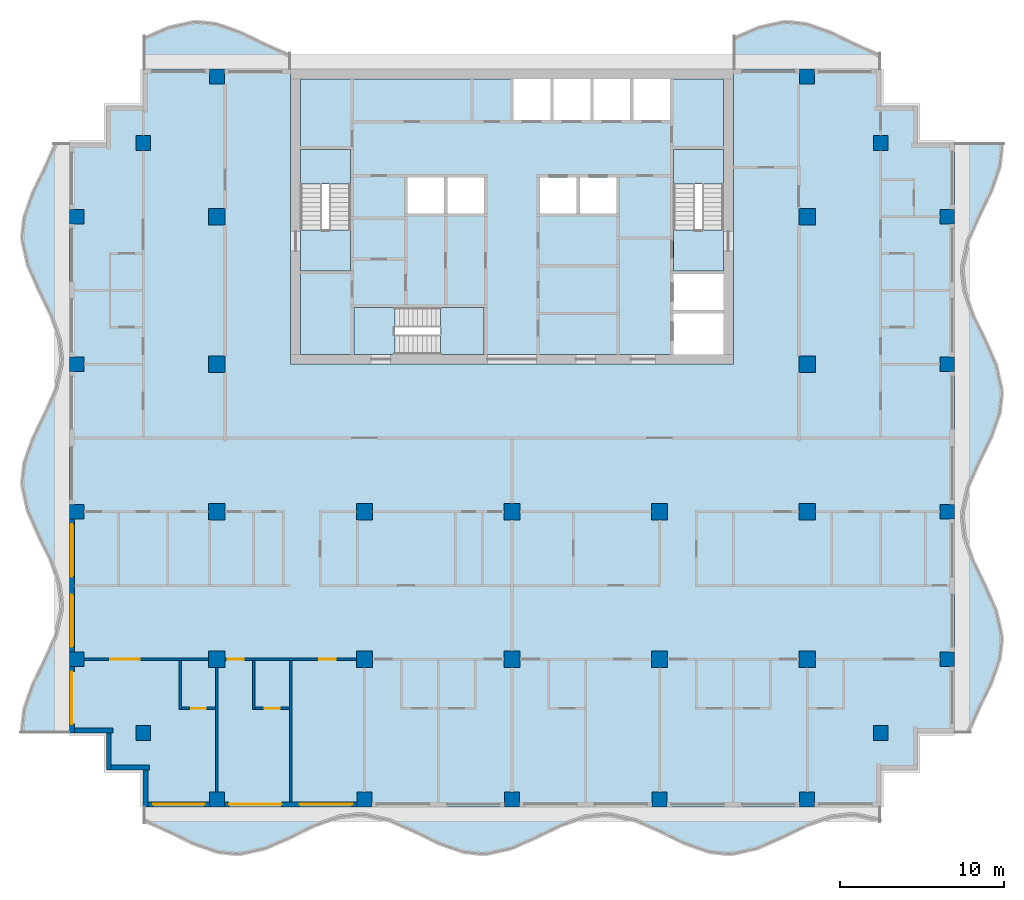
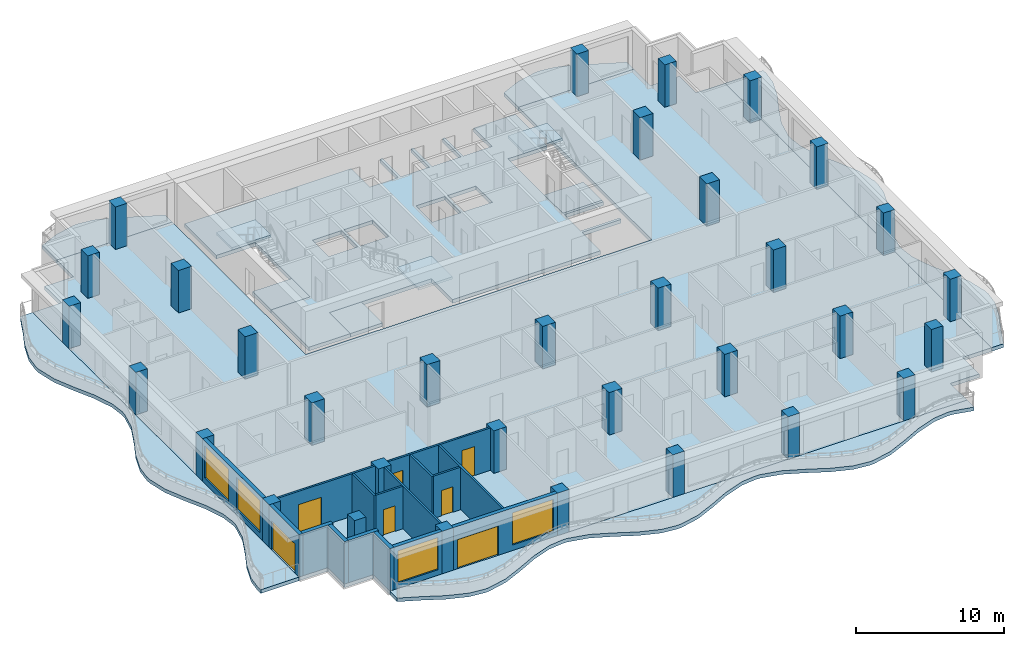
# One storey, part 1 of 11: 33 columns, 16 walls, 13 slabs, 7 doors, 4 windows, 11 openings, 3 elements without a shape of their own.
"""IFC4 building model written with IfcOpenShell, lengths in metres."""

from ifc_helpers import new_model, si_unit, direction, frame, frame_2d, origin, origin_2d, place, context, subcontext, project, spatial, polyline, rectangle, outline, extrude, material, layer, layer_set, material_profile, profile_set, type_object, element, fill, aggregate, save


model = new_model("IFC4")

# Units and contexts
model_context = context("Model", 3, precision=1e-05, world=origin(), true_north=direction((0.0, 1.0)))
body_context = subcontext(model_context, "Body", "Model", "MODEL_VIEW")
ifc_project = project(units=[si_unit("LENGTHUNIT", "METRE"), si_unit("AREAUNIT", "SQUARE_METRE"), si_unit("VOLUMEUNIT", "CUBIC_METRE"), si_unit("PLANEANGLEUNIT", "RADIAN"), si_unit("MASSUNIT", "GRAM", prefix="KILO")], contexts=[model_context])

# Site, building, storey
site_placement = place(None, origin())
site = spatial("IfcSite", under=ifc_project, at=site_placement, CompositionType="ELEMENT")
building_placement = place(site_placement, origin())
building = spatial("IfcBuilding", under=site, at=building_placement, Name="Orbiselva Terraces", CompositionType="ELEMENT")
storey_placement = place(building_placement, frame((0.0, 0.0, 238.8)))
storey = spatial("IfcBuildingStorey", under=building, at=storey_placement, Name="L60", CompositionType="ELEMENT", Elevation=238.8)

# Columns
ifc_material_1 = material(Name="Concrete C50/60", Category="concrete")
ifc_material_profile_1 = material_profile(ifc_material_1, rectangle(XDim=1.0, YDim=1.0, at=origin_2d()), Name="RC 1000x1000")
ifc_profile_set_1 = profile_set([ifc_material_profile_1], Name="Concrete C50/60")
column_type_1 = type_object("IfcColumnType", Name="COLUMN RC 1000x1000", PredefinedType="COLUMN", material=ifc_profile_set_1)
for number, where, z_axis, x_axis, name in (
    (1, (-18.0, -13.5, 0.0), (0.0, 0.0, 1.0), (1.0, 0.0, 0.0), "Column L60-01"),
    (2, (-18.0, -4.5, 0.0), (0.0, 0.0, 1.0), (1.0, 0.0, 0.0), "Column L60-03"),
    (3, (-18.0, 13.5, 0.0), (0.0, 0.0, 1.0), (1.0, 0.0, 0.0), "Column L60-04"),
    (4, (-18.0, 4.5, 0.0), (0.0, 0.0, 1.0), (1.0, 0.0, 0.0), "Column L60-06"),
    (5, (-9.0, -13.5, 0.0), (0.0, 0.0, 1.0), (1.0, 0.0, 0.0), "Column L60-13"),
    (6, (-9.0, -4.5, 0.0), (0.0, 0.0, 1.0), (1.0, 0.0, 0.0), "Column L60-15"),
    (7, (0.0, -13.5, 0.0), (0.0, 0.0, 1.0), (1.0, 0.0, 0.0), "Column L60-16"),
    (8, (0.0, -4.5, 0.0), (0.0, 0.0, 1.0), (1.0, 0.0, 0.0), "Column L60-18"),
    (9, (18.0, -13.5, 0.0), (0.0, 0.0, 1.0), (1.0, 0.0, 0.0), "Column L60-19"),
    (10, (18.0, -4.5, 0.0), (0.0, 0.0, 1.0), (1.0, 0.0, 0.0), "Column L60-21"),
    (11, (18.0, 13.5, 0.0), (0.0, 0.0, 1.0), (1.0, 0.0, 0.0), "Column L60-22"),
    (12, (18.0, 4.5, 0.0), (0.0, 0.0, 1.0), (1.0, 0.0, 0.0), "Column L60-24"),
    (13, (9.0, -13.5, 0.0), (0.0, 0.0, 1.0), (1.0, 0.0, 0.0), "Column L60-31"),
    (14, (9.0, -4.5, 0.0), (0.0, 0.0, 1.0), (1.0, 0.0, 0.0), "Column L60-33"),
):
    element("IfcColumn", number, at=place(storey_placement, frame(where, z_axis=z_axis, x_axis=x_axis)), inside=storey, type_object=column_type_1, Name=name, PredefinedType="COLUMN", context=body_context, shape_type="SweptSolid", body=[
        extrude(rectangle(XDim=1.0, YDim=1.0, at=origin_2d()), origin(), (0.0, 0.0, 1.0), 3.5),
    ])
ifc_material_profile_2 = material_profile(ifc_material_1, rectangle(XDim=0.9, YDim=0.9, at=origin_2d()), Name="RC 900x900")
ifc_profile_set_2 = profile_set([ifc_material_profile_2], Name="Concrete C50/60")
column_type_2 = type_object("IfcColumnType", Name="PERIMETER COLUMN RC 900x900", PredefinedType="COLUMN", material=ifc_profile_set_2)
for number, where, z_axis, x_axis, name in (
    (15, (-18.0, -22.05, 0.0), (0.0, 0.0, 1.0), (1.0, 0.0, 0.0), "Column L60-02"),
    (16, (-18.0, 22.05, 0.0), (0.0, 0.0, 1.0), (1.0, 0.0, 0.0), "Column L60-05"),
    (17, (-26.55, -13.5, 0.0), (0.0, 0.0, 1.0), (1.0, 0.0, 0.0), "Column L60-07"),
    (18, (-22.5, -18.0, 0.0), (0.0, 0.0, 1.0), (1.0, 0.0, 0.0), "Column L60-08"),
    (19, (-26.55, -4.5, 0.0), (0.0, 0.0, 1.0), (1.0, 0.0, 0.0), "Column L60-09"),
    (20, (-26.55, 13.5, 0.0), (0.0, 0.0, 1.0), (1.0, 0.0, 0.0), "Column L60-10"),
    (21, (-22.5, 18.0, 0.0), (0.0, 0.0, 1.0), (1.0, 0.0, 0.0), "Column L60-11"),
    (22, (-26.55, 4.5, 0.0), (0.0, 0.0, 1.0), (1.0, 0.0, 0.0), "Column L60-12"),
    (23, (-9.0, -22.05, 0.0), (0.0, 0.0, 1.0), (1.0, 0.0, 0.0), "Column L60-14"),
    (24, (0.0, -22.05, 0.0), (0.0, 0.0, 1.0), (1.0, 0.0, 0.0), "Column L60-17"),
    (25, (18.0, -22.05, 0.0), (0.0, 0.0, 1.0), (1.0, 0.0, 0.0), "Column L60-20"),
    (26, (18.0, 22.05, 0.0), (0.0, 0.0, 1.0), (1.0, 0.0, 0.0), "Column L60-23"),
    (27, (26.55, -13.5, 0.0), (0.0, 0.0, 1.0), (1.0, 0.0, 0.0), "Column L60-25"),
    (28, (22.5, -18.0, 0.0), (0.0, 0.0, 1.0), (1.0, 0.0, 0.0), "Column L60-26"),
    (29, (26.55, -4.5, 0.0), (0.0, 0.0, 1.0), (1.0, 0.0, 0.0), "Column L60-27"),
    (30, (26.55, 13.5, 0.0), (0.0, 0.0, 1.0), (1.0, 0.0, 0.0), "Column L60-28"),
    (31, (22.5, 18.0, 0.0), (0.0, 0.0, 1.0), (1.0, 0.0, 0.0), "Column L60-29"),
    (32, (26.55, 4.5, 0.0), (0.0, 0.0, 1.0), (1.0, 0.0, 0.0), "Column L60-30"),
    (33, (9.0, -22.05, 0.0), (0.0, 0.0, 1.0), (1.0, 0.0, 0.0), "Column L60-32"),
):
    element("IfcColumn", number, at=place(storey_placement, frame(where, z_axis=z_axis, x_axis=x_axis)), inside=storey, type_object=column_type_2, Name=name, PredefinedType="COLUMN", context=body_context, shape_type="SweptSolid", body=[
        extrude(rectangle(XDim=0.9, YDim=0.9, at=origin_2d()), origin(), (0.0, 0.0, 1.0), 3.5),
    ])

# Slabs
ifc_material_2 = material(Name="Concrete C40/50", Category="concrete")
ifc_layer_1 = layer(ifc_material_2, 0.3)
ifc_layer_set_1 = layer_set([ifc_layer_1], Name="Concrete C40/50")
slab_type_1 = type_object("IfcSlabType", Name="CORE-SLAB-FLOOR-300", PredefinedType="FLOOR", material=ifc_layer_set_1)
slab_1_placement = place(storey_placement, frame((0.0, 0.0, -0.3)))
element("IfcSlab", 34, at=slab_1_placement, inside=storey, type_object=slab_type_1, Name="L60 S1 floor landing", PredefinedType="FLOOR", context=body_context, shape_type="SweptSolid", body=[
    extrude(outline(polyline([(-12.9, 12.7), (-9.85, 12.7), (-9.85, 10.2), (-12.9, 10.2), (-12.9, 12.7)])), origin(), (0.0, 0.0, 1.0), 0.3),
])
slab_2_placement = place(storey_placement, frame((0.0, 0.0, -0.3)))
element("IfcSlab", 35, at=slab_2_placement, inside=storey, type_object=slab_type_1, Name="L60 S2 floor landing", PredefinedType="FLOOR", context=body_context, shape_type="SweptSolid", body=[
    extrude(outline(polyline([(12.9, 12.7), (12.9, 10.2), (9.85, 10.2), (9.85, 12.7), (12.9, 12.7)])), origin(), (0.0, 0.0, 1.0), 0.3),
])
slab_3_placement = place(storey_placement, frame((0.0, 0.0, -0.3)))
element("IfcSlab", 36, at=slab_3_placement, inside=storey, type_object=slab_type_1, Name="L60 S3 floor landing", PredefinedType="FLOOR", context=body_context, shape_type="SweptSolid", body=[
    extrude(outline(polyline([(-7.15, 5.1), (-9.65, 5.1), (-9.65, 7.95), (-7.15, 7.95), (-7.15, 5.1)])), origin(), (0.0, 0.0, 1.0), 0.3),
])
slab_4_placement = place(storey_placement, frame((0.0, 0.0, -0.3)))
element("IfcSlab", 37, at=slab_4_placement, inside=storey, type_object=slab_type_1, Name="L60 core floor slab 1", PredefinedType="FLOOR", context=body_context, shape_type="SweptSolid", body=[
    extrude(outline(polyline([(-1.7, 5.1), (-1.7, 7.95), (-9.65, 7.95), (-9.65, 5.1), (-12.9, 5.1), (-12.9, 10.2), (-9.85, 10.2), (-9.85, 17.6), (-12.9, 17.6), (-12.9, 21.9), (0.1, 21.9), (0.1, 19.4), (2.3375, 19.4), (2.3375, 21.9), (2.5375, 21.9), (2.5375, 19.4), (4.775, 19.4), (4.775, 21.9), (4.975, 21.9), (4.975, 19.4), (7.2125, 19.4), (7.2125, 21.9), (7.4125, 21.9), (7.4125, 19.4), (9.65, 19.4), (9.65, 21.9), (12.9, 21.9), (12.9, 17.6), (9.85, 17.6), (9.85, 10.2), (12.9, 10.2), (12.9, 10.0), (9.85, 10.0), (9.85, 7.8), (12.9, 7.8), (12.9, 7.6), (9.85, 7.6), (9.85, 5.1), (-1.7, 5.1)]), holes=[polyline([(-4.1375, 13.7), (-4.1375, 15.9), (-6.375, 15.9), (-6.375, 13.7), (-4.1375, 13.7)]), polyline([(-1.7, 13.7), (-1.7, 15.9), (-3.9375, 15.9), (-3.9375, 13.7), (-1.7, 13.7)]), polyline([(3.9375, 15.9), (1.7, 15.9), (1.7, 13.7), (3.9375, 13.7), (3.9375, 15.9)]), polyline([(6.375, 13.7), (6.375, 15.9), (4.1375, 15.9), (4.1375, 13.7), (6.375, 13.7)])]), origin(), (0.0, 0.0, 1.0), 0.3),
])

# Stair, slab
stair_type_1 = type_object("IfcStairType", Name="CORE-STAIR-1300", PredefinedType="HALF_TURN_STAIR", material=ifc_material_2)
stair_1_placement = place(storey_placement, origin())
stair_1 = element("IfcStair", 38, at=stair_1_placement, inside=storey, type_object=stair_type_1, Name="L60 Exit Stair S1", PredefinedType="HALF_TURN_STAIR")
ifc_layer_2 = layer(ifc_material_2, 0.2)
ifc_layer_set_2 = layer_set([ifc_layer_2], Name="Concrete C40/50")
slab_type_2 = type_object("IfcSlabType", Name="CORE-STAIR-LANDING-200", PredefinedType="LANDING", material=ifc_layer_set_2)
slab_5_placement = place(storey_placement, frame((0.0, 0.0, 1.7)))
slab_5 = element("IfcSlab", 39, at=slab_5_placement, type_object=slab_type_2, Name="S1 landing 1", PredefinedType="LANDING", context=body_context, shape_type="SweptSolid", body=[
    extrude(outline(polyline([(-9.85, 15.5), (-9.85, 17.6), (-12.9, 17.6), (-12.9, 15.5), (-9.85, 15.5)])), origin(), (0.0, 0.0, 1.0), 0.2),
])
aggregate(stair_1, [slab_5])

stair_2_placement = place(storey_placement, origin())
stair_2 = element("IfcStair", 40, at=stair_2_placement, inside=storey, type_object=stair_type_1, Name="L60 Exit Stair S2", PredefinedType="HALF_TURN_STAIR")
slab_6_placement = place(storey_placement, frame((0.0, 0.0, 1.7)))
slab_6 = element("IfcSlab", 41, at=slab_6_placement, type_object=slab_type_2, Name="S2 landing 1", PredefinedType="LANDING", context=body_context, shape_type="SweptSolid", body=[
    extrude(outline(polyline([(12.9, 15.5), (12.9, 17.6), (9.85, 17.6), (9.85, 15.5), (12.9, 15.5)])), origin(), (0.0, 0.0, 1.0), 0.2),
])
aggregate(stair_2, [slab_6])

stair_type_2 = type_object("IfcStairType", Name="CORE-STAIR-1200", PredefinedType="HALF_TURN_STAIR", material=ifc_material_2)
stair_3_placement = place(storey_placement, origin())
stair_3 = element("IfcStair", 42, at=stair_3_placement, inside=storey, type_object=stair_type_2, Name="L60 Exit Stair S3", PredefinedType="HALF_TURN_STAIR")
slab_7_placement = place(storey_placement, frame((0.0, 0.0, 1.7)))
slab_7 = element("IfcSlab", 43, at=slab_7_placement, type_object=slab_type_2, Name="S3 landing 1", PredefinedType="LANDING", context=body_context, shape_type="SweptSolid", body=[
    extrude(outline(polyline([(-4.35, 5.1), (-1.7, 5.1), (-1.7, 7.95), (-4.35, 7.95), (-4.35, 5.1)])), origin(), (0.0, 0.0, 1.0), 0.2),
])
aggregate(stair_3, [slab_7])

# Slabs
ifc_layer_3 = layer(ifc_material_1, 0.3)
ifc_layer_set_3 = layer_set([ifc_layer_3], Name="Concrete C50/60")
slab_type_3 = type_object("IfcSlabType", Name="ENV-BALCONY-SLAB-300", PredefinedType="FLOOR", material=ifc_layer_set_3)
slab_8_placement = place(storey_placement, frame((0.0, 0.0, -0.3)))
element("IfcSlab", 44, at=slab_8_placement, inside=storey, type_object=slab_type_3, Name="Balcony slab L60 S", PredefinedType="FLOOR", context=body_context, shape_type="SweptSolid", body=[
    extrude(outline(polyline([(-22.5, -23.451472), (-21.0, -24.112279), (-19.5, -24.844789), (-18.0, -25.369208), (-16.875, -25.5), (-16.5, -25.485226), (-15.0, -25.148528), (-13.5, -24.487721), (-12.0, -23.755211), (-10.5, -23.230792), (-9.375, -23.1), (-9.0, -23.114774), (-7.5, -23.451472), (-6.0, -24.112279), (-4.5, -24.844789), (-3.0, -25.369208), (-1.875, -25.5), (-1.5, -25.485226), (0.0, -25.148528), (1.5, -24.487721), (3.0, -23.755211), (4.5, -23.230792), (5.625, -23.1), (6.0, -23.114774), (7.5, -23.451472), (9.0, -24.112279), (10.5, -24.844789), (12.0, -25.369208), (13.125, -25.5), (13.5, -25.485226), (15.0, -25.148528), (16.5, -24.487721), (18.0, -23.755211), (19.5, -23.230792), (20.625, -23.1), (21.0, -23.114774), (22.5, -23.451472), (22.5, -22.5), (-22.5, -22.5), (-22.5, -23.451472)])), origin(), (0.0, 0.0, 1.0), 0.3),
])
slab_9_placement = place(storey_placement, frame((0.0, 0.0, -0.3)))
element("IfcSlab", 45, at=slab_9_placement, inside=storey, type_object=slab_type_3, Name="Balcony slab L60 E", PredefinedType="FLOOR", context=body_context, shape_type="SweptSolid", body=[
    extrude(outline(polyline([(27.951472, -18.0), (28.612279, -16.5), (29.344789, -15.0), (29.869208, -13.5), (30.0, -12.375), (29.985226, -12.0), (29.648528, -10.5), (28.987721, -9.0), (28.255211, -7.5), (27.730792, -6.0), (27.6, -4.875), (27.614774, -4.5), (27.951472, -3.0), (28.612279, -1.5), (29.344789, 0.0), (29.869208, 1.5), (30.0, 2.625), (29.985226, 3.0), (29.648528, 4.5), (28.987721, 6.0), (28.255211, 7.5), (27.730792, 9.0), (27.6, 10.125), (27.614774, 10.5), (27.951472, 12.0), (28.612279, 13.5), (29.344789, 15.0), (29.869208, 16.5), (30.0, 17.625), (29.985226, 18.0), (27.0, 18.0), (27.0, -18.0), (27.951472, -18.0)])), origin(), (0.0, 0.0, 1.0), 0.3),
])
slab_10_placement = place(storey_placement, frame((0.0, 0.0, -0.3)))
element("IfcSlab", 46, at=slab_10_placement, inside=storey, type_object=slab_type_3, Name="Balcony slab L60 NE", PredefinedType="FLOOR", context=body_context, shape_type="SweptSolid", body=[
    extrude(outline(polyline([(22.5, 23.451472), (21.0, 24.112279), (19.5, 24.844789), (18.0, 25.369208), (16.875, 25.5), (16.5, 25.485226), (15.0, 25.148528), (13.5, 24.487721), (13.5, 22.5), (22.5, 22.5), (22.5, 23.451472)])), origin(), (0.0, 0.0, 1.0), 0.3),
])
slab_11_placement = place(storey_placement, frame((0.0, 0.0, -0.3)))
element("IfcSlab", 47, at=slab_11_placement, inside=storey, type_object=slab_type_3, Name="Balcony slab L60 NW", PredefinedType="FLOOR", context=body_context, shape_type="SweptSolid", body=[
    extrude(outline(polyline([(-13.5, 23.451472), (-15.0, 24.112279), (-16.5, 24.844789), (-18.0, 25.369208), (-19.125, 25.5), (-19.5, 25.485226), (-21.0, 25.148528), (-22.5, 24.487721), (-22.5, 22.5), (-13.5, 22.5), (-13.5, 23.451472)])), origin(), (0.0, 0.0, 1.0), 0.3),
])
slab_12_placement = place(storey_placement, frame((0.0, 0.0, -0.3)))
element("IfcSlab", 48, at=slab_12_placement, inside=storey, type_object=slab_type_3, Name="Balcony slab L60 W", PredefinedType="FLOOR", context=body_context, shape_type="SweptSolid", body=[
    extrude(outline(polyline([(-27.951472, 18.0), (-28.612279, 16.5), (-29.344789, 15.0), (-29.869208, 13.5), (-30.0, 12.375), (-29.985226, 12.0), (-29.648528, 10.5), (-28.987721, 9.0), (-28.255211, 7.5), (-27.730792, 6.0), (-27.6, 4.875), (-27.614774, 4.5), (-27.951472, 3.0), (-28.612279, 1.5), (-29.344789, 0.0), (-29.869208, -1.5), (-30.0, -2.625), (-29.985226, -3.0), (-29.648528, -4.5), (-28.987721, -6.0), (-28.255211, -7.5), (-27.730792, -9.0), (-27.6, -10.125), (-27.614774, -10.5), (-27.951472, -12.0), (-28.612279, -13.5), (-29.344789, -15.0), (-29.869208, -16.5), (-30.0, -17.625), (-29.985226, -18.0), (-27.0, -18.0), (-27.0, 18.0), (-27.951472, 18.0)])), origin(), (0.0, 0.0, 1.0), 0.3),
])
ifc_layer_4 = layer(ifc_material_1, 0.3)
ifc_layer_set_4 = layer_set([ifc_layer_4], Name="Concrete C50/60")
slab_type_4 = type_object("IfcSlabType", Name="FLOOR SLAB 300", PredefinedType="FLOOR", material=ifc_layer_set_4)
slab_13_placement = place(storey_placement, frame((0.0, 0.0, -0.3)))
element("IfcSlab", 49, at=slab_13_placement, inside=storey, type_object=slab_type_4, Name="Floor slab L60", PredefinedType="FLOOR", context=body_context, shape_type="SweptSolid", body=[
    extrude(outline(polyline([(22.5, 22.5), (22.5, 20.25), (24.75, 20.25), (24.75, 18.0), (27.0, 18.0), (27.0, -18.0), (24.75, -18.0), (24.75, -20.25), (22.5, -20.25), (22.5, -22.5), (-22.5, -22.5), (-22.5, -20.25), (-24.75, -20.25), (-24.75, -18.0), (-27.0, -18.0), (-27.0, 18.0), (-24.75, 18.0), (-24.75, 20.25), (-22.5, 20.25), (-22.5, 22.5), (-13.5, 22.5), (-13.5, 4.5), (13.5, 4.5), (13.5, 22.5), (22.5, 22.5)])), origin(), (0.0, 0.0, 1.0), 0.3),
])

# Wall, opening, window
ifc_material_3 = material(Name="Terracotta cladding on masonry backing", Category="masonry")
ifc_layer_5 = layer(ifc_material_3, 0.3)
ifc_layer_set_5 = layer_set([ifc_layer_5], Name="Terracotta cladding on masonry backing")
wall_type_1 = type_object("IfcWallType", Name="ENV-WALL-TERRACOTTA-300", PredefinedType="SOLIDWALL", material=ifc_layer_set_5)
wall_1_placement = place(storey_placement, frame((-18.45, -22.35, 0.0), z_axis=(0.0, 0.0, 1.0), x_axis=(-1.0, 0.0, 0.0)))
wall_1 = element("IfcWall", 50, at=wall_1_placement, inside=storey, type_object=wall_type_1, Name="Facade wall L60 S", PredefinedType="SOLIDWALL", context=body_context, shape_type="SweptSolid", body=[
    extrude(rectangle(XDim=3.75, YDim=0.3, at=frame_2d((1.875, 0.0))), origin(), (0.0, 0.0, 1.0), 3.5),
])
opening_1_placement = place(wall_1_placement, frame((0.3, 0.0, 0.45)))
opening_1 = element("IfcOpeningElement", 51, at=opening_1_placement, cuts=wall_1, Name="Opening WN16", PredefinedType="OPENING", context=body_context, shape_type="SweptSolid", body=[
    extrude(rectangle(XDim=3.15, YDim=2.65, at=frame_2d((1.575, 1.325))), frame((0.0, 0.16, 0.0), z_axis=(0.0, -1.0, 0.0), x_axis=(1.0, 0.0, 0.0)), (0.0, 0.0, 1.0), 0.32),
])
ifc_material_4 = material(Name="Clear low-e glazing in aluminium frame", Category="aluminium")
window_type_1 = type_object("IfcWindowType", Name="WINDOW 3150 X 2650 S450", PartitioningType="TRIPLE_PANEL_VERTICAL", PredefinedType="WINDOW", material=ifc_material_4)
window_1_placement = place(opening_1_placement, origin())
window_1 = element("IfcWindow", 52, at=window_1_placement, inside=storey, type_object=window_type_1, Name="Window L60 S", OverallHeight=2.65, OverallWidth=3.15, PartitioningType="SINGLE_PANEL", PredefinedType="WINDOW", context=body_context, shape_type="SweptSolid", body=[
    extrude(rectangle(XDim=3.15, YDim=2.65, at=frame_2d((1.575, 1.325))), frame((0.0, 0.03, 0.0), z_axis=(0.0, -1.0, 0.0), x_axis=(1.0, 0.0, 0.0)), (0.0, 0.0, 1.0), 0.06),
])
fill(opening_1, window_1)

# Wall, openings, door, window
wall_2_placement = place(storey_placement, frame((-9.45, -22.35, 0.0), z_axis=(0.0, 0.0, 1.0), x_axis=(-1.0, 0.0, 0.0)))
wall_2 = element("IfcWall", 53, at=wall_2_placement, inside=storey, type_object=wall_type_1, Name="Facade wall L60 S", PredefinedType="SOLIDWALL", context=body_context, shape_type="SweptSolid", body=[
    extrude(rectangle(XDim=8.1, YDim=0.3, at=frame_2d((4.05, 0.0))), origin(), (0.0, 0.0, 1.0), 3.5),
])
opening_2_placement = place(wall_2_placement, frame((4.6, 0.0, 0.0)))
opening_2 = element("IfcOpeningElement", 54, at=opening_2_placement, cuts=wall_2, Name="Opening Z5-A-E01", PredefinedType="OPENING", context=body_context, shape_type="SweptSolid", body=[
    extrude(rectangle(XDim=3.2, YDim=2.4, at=frame_2d((1.6, 1.2))), frame((0.0, 0.16, 0.0), z_axis=(0.0, -1.0, 0.0), x_axis=(1.0, 0.0, 0.0)), (0.0, 0.0, 1.0), 0.32),
])
opening_3_placement = place(wall_2_placement, frame((0.3, 0.0, 0.45)))
opening_3 = element("IfcOpeningElement", 55, at=opening_3_placement, cuts=wall_2, Name="Opening WN17", PredefinedType="OPENING", context=body_context, shape_type="SweptSolid", body=[
    extrude(rectangle(XDim=3.2, YDim=2.65, at=frame_2d((1.6, 1.325))), frame((0.0, 0.16, 0.0), z_axis=(0.0, -1.0, 0.0), x_axis=(1.0, 0.0, 0.0)), (0.0, 0.0, 1.0), 0.32),
])
door_type_1 = type_object("IfcDoorType", Name="BALCONY DOOR 3200 X 2400", OperationType="DOUBLE_DOOR_SLIDING", PredefinedType="DOOR", material=ifc_material_4)
door_1_placement = place(opening_2_placement, origin())
door_1 = element("IfcDoor", 56, at=door_1_placement, inside=storey, type_object=door_type_1, Name="Z5-A-E01", OperationType="SINGLE_SWING_LEFT", OverallHeight=2.4, OverallWidth=3.2, PredefinedType="DOOR", context=body_context, shape_type="SweptSolid", body=[
    extrude(rectangle(XDim=3.2, YDim=2.4, at=frame_2d((1.6, 1.2))), frame((0.0, 0.025, 0.0), z_axis=(0.0, -1.0, 0.0), x_axis=(1.0, 0.0, 0.0)), (0.0, 0.0, 1.0), 0.05),
])
fill(opening_2, door_1)
window_type_2 = type_object("IfcWindowType", Name="WINDOW 3200 X 2650 S450", PartitioningType="TRIPLE_PANEL_VERTICAL", PredefinedType="WINDOW", material=ifc_material_4)
window_2_placement = place(opening_3_placement, origin())
window_2 = element("IfcWindow", 57, at=window_2_placement, inside=storey, type_object=window_type_2, Name="Window L60 S", OverallHeight=2.65, OverallWidth=3.2, PartitioningType="SINGLE_PANEL", PredefinedType="WINDOW", context=body_context, shape_type="SweptSolid", body=[
    extrude(rectangle(XDim=3.2, YDim=2.65, at=frame_2d((1.6, 1.325))), frame((0.0, 0.03, 0.0), z_axis=(0.0, -1.0, 0.0), x_axis=(1.0, 0.0, 0.0)), (0.0, 0.0, 1.0), 0.06),
])
fill(opening_3, window_2)

# Wall, openings, windows
wall_3_placement = place(storey_placement, frame((-26.85, -13.05, 0.0), z_axis=(0.0, 0.0, 1.0), x_axis=(0.0, 1.0, 0.0)))
wall_3 = element("IfcWall", 58, at=wall_3_placement, inside=storey, type_object=wall_type_1, Name="Facade wall L60 W", PredefinedType="SOLIDWALL", context=body_context, shape_type="SweptSolid", body=[
    extrude(rectangle(XDim=8.1, YDim=0.3, at=frame_2d((4.05, 0.0))), origin(), (0.0, 0.0, 1.0), 3.5),
])
opening_4_placement = place(wall_3_placement, frame((4.6, 0.0, 0.45)))
opening_4 = element("IfcOpeningElement", 59, at=opening_4_placement, cuts=wall_3, Name="Opening WN17", PredefinedType="OPENING", context=body_context, shape_type="SweptSolid", body=[
    extrude(rectangle(XDim=3.2, YDim=2.65, at=frame_2d((1.6, 1.325))), frame((0.0, 0.16, 0.0), z_axis=(0.0, -1.0, 0.0), x_axis=(1.0, 0.0, 0.0)), (0.0, 0.0, 1.0), 0.32),
])
opening_5_placement = place(wall_3_placement, frame((0.3, 0.0, 0.45)))
opening_5 = element("IfcOpeningElement", 60, at=opening_5_placement, cuts=wall_3, Name="Opening WN17", PredefinedType="OPENING", context=body_context, shape_type="SweptSolid", body=[
    extrude(rectangle(XDim=3.2, YDim=2.65, at=frame_2d((1.6, 1.325))), frame((0.0, 0.16, 0.0), z_axis=(0.0, -1.0, 0.0), x_axis=(1.0, 0.0, 0.0)), (0.0, 0.0, 1.0), 0.32),
])
window_3_placement = place(opening_4_placement, origin())
window_3 = element("IfcWindow", 61, at=window_3_placement, inside=storey, type_object=window_type_2, Name="Window L60 W", OverallHeight=2.65, OverallWidth=3.2, PartitioningType="SINGLE_PANEL", PredefinedType="WINDOW", context=body_context, shape_type="SweptSolid", body=[
    extrude(rectangle(XDim=3.2, YDim=2.65, at=frame_2d((1.6, 1.325))), frame((0.0, 0.03, 0.0), z_axis=(0.0, -1.0, 0.0), x_axis=(1.0, 0.0, 0.0)), (0.0, 0.0, 1.0), 0.06),
])
fill(opening_4, window_3)
window_4_placement = place(opening_5_placement, origin())
window_4 = element("IfcWindow", 62, at=window_4_placement, inside=storey, type_object=window_type_2, Name="Window L60 W", OverallHeight=2.65, OverallWidth=3.2, PartitioningType="SINGLE_PANEL", PredefinedType="WINDOW", context=body_context, shape_type="SweptSolid", body=[
    extrude(rectangle(XDim=3.2, YDim=2.65, at=frame_2d((1.6, 1.325))), frame((0.0, 0.03, 0.0), z_axis=(0.0, -1.0, 0.0), x_axis=(1.0, 0.0, 0.0)), (0.0, 0.0, 1.0), 0.06),
])
fill(opening_5, window_4)

# Wall, opening, door
wall_4_placement = place(storey_placement, frame((-26.85, -18.0, 0.0), z_axis=(0.0, 0.0, 1.0), x_axis=(0.0, 1.0, 0.0)))
wall_4 = element("IfcWall", 63, at=wall_4_placement, inside=storey, type_object=wall_type_1, Name="Facade wall L60 W", PredefinedType="SOLIDWALL", context=body_context, shape_type="SweptSolid", body=[
    extrude(rectangle(XDim=4.05, YDim=0.3, at=frame_2d((2.025, 0.0))), origin(), (0.0, 0.0, 1.0), 3.5),
])
opening_6_placement = place(wall_4_placement, frame((0.55, 0.0, 0.0)))
opening_6 = element("IfcOpeningElement", 64, at=opening_6_placement, cuts=wall_4, Name="Opening Z5-A-E12", PredefinedType="OPENING", context=body_context, shape_type="SweptSolid", body=[
    extrude(rectangle(XDim=3.2, YDim=2.4, at=frame_2d((1.6, 1.2))), frame((0.0, 0.16, 0.0), z_axis=(0.0, -1.0, 0.0), x_axis=(1.0, 0.0, 0.0)), (0.0, 0.0, 1.0), 0.32),
])
door_2_placement = place(opening_6_placement, origin())
door_2 = element("IfcDoor", 65, at=door_2_placement, inside=storey, type_object=door_type_1, Name="Z5-A-E12", OperationType="SINGLE_SWING_LEFT", OverallHeight=2.4, OverallWidth=3.2, PredefinedType="DOOR", context=body_context, shape_type="SweptSolid", body=[
    extrude(rectangle(XDim=3.2, YDim=2.4, at=frame_2d((1.6, 1.2))), frame((0.0, 0.025, 0.0), z_axis=(0.0, -1.0, 0.0), x_axis=(1.0, 0.0, 0.0)), (0.0, 0.0, 1.0), 0.05),
])
fill(opening_6, door_2)

# Walls
wall_5_placement = place(storey_placement, frame((-24.35, -17.85, 0.0), z_axis=(0.0, 0.0, 1.0), x_axis=(-1.0, 0.0, 0.0)))
element("IfcWall", 66, at=wall_5_placement, inside=storey, type_object=wall_type_1, Name="Facade wall L60 STEP", PredefinedType="SOLIDWALL", context=body_context, shape_type="SweptSolid", body=[
    extrude(rectangle(XDim=2.35, YDim=0.3, at=frame_2d((1.175, 0.0))), origin(), (0.0, 0.0, 1.0), 3.5),
])
wall_6_placement = place(storey_placement, frame((-24.6, -20.25, 0.0), z_axis=(0.0, 0.0, 1.0), x_axis=(0.0, 1.0, 0.0)))
element("IfcWall", 67, at=wall_6_placement, inside=storey, type_object=wall_type_1, Name="Facade wall L60 STEP", PredefinedType="SOLIDWALL", context=body_context, shape_type="SweptSolid", body=[
    extrude(rectangle(XDim=2.25, YDim=0.3, at=frame_2d((1.125, 0.0))), origin(), (0.0, 0.0, 1.0), 3.5),
])
wall_7_placement = place(storey_placement, frame((-22.1, -20.1, 0.0), z_axis=(0.0, 0.0, 1.0), x_axis=(-1.0, 0.0, 0.0)))
element("IfcWall", 68, at=wall_7_placement, inside=storey, type_object=wall_type_1, Name="Facade wall L60 STEP", PredefinedType="SOLIDWALL", context=body_context, shape_type="SweptSolid", body=[
    extrude(rectangle(XDim=2.35, YDim=0.3, at=frame_2d((1.175, 0.0))), origin(), (0.0, 0.0, 1.0), 3.5),
])
wall_8_placement = place(storey_placement, frame((-22.35, -22.5, 0.0), z_axis=(0.0, 0.0, 1.0), x_axis=(0.0, 1.0, 0.0)))
element("IfcWall", 69, at=wall_8_placement, inside=storey, type_object=wall_type_1, Name="Facade wall L60 STEP", PredefinedType="SOLIDWALL", context=body_context, shape_type="SweptSolid", body=[
    extrude(rectangle(XDim=2.25, YDim=0.3, at=frame_2d((1.125, 0.0))), origin(), (0.0, 0.0, 1.0), 3.5),
])

# Wall, opening, door
ifc_material_5 = material(Name="Plasterboard on steel stud partition", Category="steel")
ifc_layer_6 = layer(ifc_material_5, 0.15)
ifc_layer_set_6 = layer_set([ifc_layer_6], Name="Plasterboard on steel stud partition")
wall_type_2 = type_object("IfcWallType", Name="UNIT-PARTITION-150", PredefinedType="PARTITIONING", material=ifc_layer_set_6)
wall_9_placement = place(storey_placement, frame((-20.175, -16.5, 0.0), z_axis=(0.0, 0.0, 1.0), x_axis=(1.0, 0.0, 0.0)))
wall_9 = element("IfcWall", 70, at=wall_9_placement, inside=storey, type_object=wall_type_2, Name="PARTITION L60-001", PredefinedType="PARTITIONING", context=body_context, shape_type="SweptSolid", body=[
    extrude(rectangle(XDim=2.1, YDim=0.15, at=frame_2d((1.05, 0.0))), origin(), (0.0, 0.0, 1.0), 3.5),
])
opening_7_placement = place(wall_9_placement, frame((0.6, 0.0, 0.0)))
opening_7 = element("IfcOpeningElement", 71, at=opening_7_placement, cuts=wall_9, Name="Opening Z5-A-34", PredefinedType="OPENING", context=body_context, shape_type="SweptSolid", body=[
    extrude(rectangle(XDim=0.9, YDim=2.1, at=frame_2d((0.45, 1.05))), frame((0.0, 0.085, 0.0), z_axis=(0.0, -1.0, 0.0), x_axis=(1.0, 0.0, 0.0)), (0.0, 0.0, 1.0), 0.17),
])
ifc_material_6 = material(Name="Painted timber door leaf", Category="wood")
door_type_2 = type_object("IfcDoorType", Name="BATH DOOR 900", OperationType="NOTDEFINED", PredefinedType="DOOR", material=ifc_material_6)
door_3_placement = place(opening_7_placement, origin())
door_3 = element("IfcDoor", 72, at=door_3_placement, inside=storey, type_object=door_type_2, Name="Z5-A-34", OperationType="SINGLE_SWING_LEFT", OverallHeight=2.1, OverallWidth=0.9, PredefinedType="DOOR", context=body_context, shape_type="SweptSolid", body=[
    extrude(rectangle(XDim=0.9, YDim=2.1, at=frame_2d((0.45, 1.05))), frame((0.0, 0.025, 0.0), z_axis=(0.0, -1.0, 0.0), x_axis=(1.0, 0.0, 0.0)), (0.0, 0.0, 1.0), 0.05),
])
fill(opening_7, door_3)

wall_10_placement = place(storey_placement, frame((-15.675, -16.5, 0.0), z_axis=(0.0, 0.0, 1.0), x_axis=(1.0, 0.0, 0.0)))
wall_10 = element("IfcWall", 73, at=wall_10_placement, inside=storey, type_object=wall_type_2, Name="PARTITION L60-002", PredefinedType="PARTITIONING", context=body_context, shape_type="SweptSolid", body=[
    extrude(rectangle(XDim=2.1, YDim=0.15, at=frame_2d((1.05, 0.0))), origin(), (0.0, 0.0, 1.0), 3.5),
])
opening_8_placement = place(wall_10_placement, frame((0.6, 0.0, 0.0)))
opening_8 = element("IfcOpeningElement", 74, at=opening_8_placement, cuts=wall_10, Name="Opening Z5-A-32", PredefinedType="OPENING", context=body_context, shape_type="SweptSolid", body=[
    extrude(rectangle(XDim=0.9, YDim=2.1, at=frame_2d((0.45, 1.05))), frame((0.0, 0.085, 0.0), z_axis=(0.0, -1.0, 0.0), x_axis=(1.0, 0.0, 0.0)), (0.0, 0.0, 1.0), 0.17),
])
door_4_placement = place(opening_8_placement, origin())
door_4 = element("IfcDoor", 75, at=door_4_placement, inside=storey, type_object=door_type_2, Name="Z5-A-32", OperationType="SINGLE_SWING_LEFT", OverallHeight=2.1, OverallWidth=0.9, PredefinedType="DOOR", context=body_context, shape_type="SweptSolid", body=[
    extrude(rectangle(XDim=0.9, YDim=2.1, at=frame_2d((0.45, 1.05))), frame((0.0, 0.025, 0.0), z_axis=(0.0, -1.0, 0.0), x_axis=(1.0, 0.0, 0.0)), (0.0, 0.0, 1.0), 0.05),
])
fill(opening_8, door_4)

wall_11_placement = place(storey_placement, frame((-18.5, -13.5, 0.0), z_axis=(0.0, 0.0, 1.0), x_axis=(-1.0, 0.0, 0.0)))
wall_11 = element("IfcWall", 76, at=wall_11_placement, inside=storey, type_object=wall_type_2, Name="PARTITION L60-009", PredefinedType="PARTITIONING", context=body_context, shape_type="SweptSolid", body=[
    extrude(rectangle(XDim=7.6, YDim=0.15, at=frame_2d((3.8, 0.0))), origin(), (0.0, 0.0, 1.0), 3.5),
])
opening_9_placement = place(wall_11_placement, frame((4.2, 0.0, 0.0)))
opening_9 = element("IfcOpeningElement", 77, at=opening_9_placement, cuts=wall_11, Name="Opening Z5-A-33", PredefinedType="OPENING", context=body_context, shape_type="SweptSolid", body=[
    extrude(rectangle(XDim=1.8, YDim=2.4, at=frame_2d((0.9, 1.2))), frame((0.0, 0.085, 0.0), z_axis=(0.0, -1.0, 0.0), x_axis=(1.0, 0.0, 0.0)), (0.0, 0.0, 1.0), 0.17),
])
door_type_3 = type_object("IfcDoorType", Name="DOUBLE DOOR 1800", OperationType="NOTDEFINED", PredefinedType="DOOR", material=ifc_material_6)
door_5_placement = place(opening_9_placement, origin())
door_5 = element("IfcDoor", 78, at=door_5_placement, inside=storey, type_object=door_type_3, Name="Z5-A-33", OperationType="DOUBLE_DOOR_SINGLE_SWING", OverallHeight=2.4, OverallWidth=1.8, PredefinedType="DOOR", context=body_context, shape_type="SweptSolid", body=[
    extrude(rectangle(XDim=1.8, YDim=2.4, at=frame_2d((0.9, 1.2))), frame((0.0, 0.025, 0.0), z_axis=(0.0, -1.0, 0.0), x_axis=(1.0, 0.0, 0.0)), (0.0, 0.0, 1.0), 0.05),
])
fill(opening_9, door_5)

# Wall, openings, doors
wall_12_placement = place(storey_placement, frame((-9.5, -13.5, 0.0), z_axis=(0.0, 0.0, 1.0), x_axis=(-1.0, 0.0, 0.0)))
wall_12 = element("IfcWall", 79, at=wall_12_placement, inside=storey, type_object=wall_type_2, Name="PARTITION L60-010", PredefinedType="PARTITIONING", context=body_context, shape_type="SweptSolid", body=[
    extrude(rectangle(XDim=8.0, YDim=0.15, at=frame_2d((4.0, 0.0))), origin(), (0.0, 0.0, 1.0), 3.5),
])
opening_10_placement = place(wall_12_placement, frame((1.25, 0.0, 0.0)))
opening_10 = element("IfcOpeningElement", 80, at=opening_10_placement, cuts=wall_12, Name="Opening Z5-A-30", PredefinedType="OPENING", context=body_context, shape_type="SweptSolid", body=[
    extrude(rectangle(XDim=1.0, YDim=2.4, at=frame_2d((0.5, 1.2))), frame((0.0, 0.085, 0.0), z_axis=(0.0, -1.0, 0.0), x_axis=(1.0, 0.0, 0.0)), (0.0, 0.0, 1.0), 0.17),
])
opening_11_placement = place(wall_12_placement, frame((6.85, 0.0, 0.0)))
opening_11 = element("IfcOpeningElement", 81, at=opening_11_placement, cuts=wall_12, Name="Opening Z5-A-31", PredefinedType="OPENING", context=body_context, shape_type="SweptSolid", body=[
    extrude(rectangle(XDim=1.0, YDim=2.4, at=frame_2d((0.5, 1.2))), frame((0.0, 0.085, 0.0), z_axis=(0.0, -1.0, 0.0), x_axis=(1.0, 0.0, 0.0)), (0.0, 0.0, 1.0), 0.17),
])
door_type_4 = type_object("IfcDoorType", Name="ROOM DOOR 1000", OperationType="NOTDEFINED", PredefinedType="DOOR", material=ifc_material_6)
door_6_placement = place(opening_10_placement, origin())
door_6 = element("IfcDoor", 82, at=door_6_placement, inside=storey, type_object=door_type_4, Name="Z5-A-30", OperationType="SINGLE_SWING_LEFT", OverallHeight=2.4, OverallWidth=1.0, PredefinedType="DOOR", context=body_context, shape_type="SweptSolid", body=[
    extrude(rectangle(XDim=1.0, YDim=2.4, at=frame_2d((0.5, 1.2))), frame((0.0, 0.025, 0.0), z_axis=(0.0, -1.0, 0.0), x_axis=(1.0, 0.0, 0.0)), (0.0, 0.0, 1.0), 0.05),
])
fill(opening_10, door_6)
door_7_placement = place(opening_11_placement, origin())
door_7 = element("IfcDoor", 83, at=door_7_placement, inside=storey, type_object=door_type_4, Name="Z5-A-31", OperationType="SINGLE_SWING_RIGHT", OverallHeight=2.4, OverallWidth=1.0, PredefinedType="DOOR", context=body_context, shape_type="SweptSolid", body=[
    extrude(rectangle(XDim=1.0, YDim=2.4, at=frame_2d((0.5, 1.2))), frame((0.0, 0.025, 0.0), z_axis=(0.0, -1.0, 0.0), x_axis=(1.0, 0.0, 0.0)), (0.0, 0.0, 1.0), 0.05),
])
fill(opening_11, door_7)

# Walls
wall_13_placement = place(storey_placement, frame((-20.25, -16.575, 0.0), z_axis=(0.0, 0.0, 1.0), x_axis=(0.0, 1.0, 0.0)))
element("IfcWall", 84, at=wall_13_placement, inside=storey, type_object=wall_type_2, Name="PARTITION L60-047", PredefinedType="PARTITIONING", context=body_context, shape_type="SweptSolid", body=[
    extrude(rectangle(XDim=3.0, YDim=0.15, at=frame_2d((1.5, 0.0))), origin(), (0.0, 0.0, 1.0), 3.5),
])
wall_14_placement = place(storey_placement, frame((-18.0, -21.6, 0.0), z_axis=(0.0, 0.0, 1.0), x_axis=(0.0, 1.0, 0.0)))
element("IfcWall", 85, at=wall_14_placement, inside=storey, type_object=wall_type_2, Name="PARTITION L60-049", PredefinedType="PARTITIONING", context=body_context, shape_type="SweptSolid", body=[
    extrude(rectangle(XDim=7.6, YDim=0.15, at=frame_2d((3.8, 0.0))), origin(), (0.0, 0.0, 1.0), 3.5),
])
wall_15_placement = place(storey_placement, frame((-15.75, -16.575, 0.0), z_axis=(0.0, 0.0, 1.0), x_axis=(0.0, 1.0, 0.0)))
element("IfcWall", 86, at=wall_15_placement, inside=storey, type_object=wall_type_2, Name="PARTITION L60-053", PredefinedType="PARTITIONING", context=body_context, shape_type="SweptSolid", body=[
    extrude(rectangle(XDim=3.0, YDim=0.15, at=frame_2d((1.5, 0.0))), origin(), (0.0, 0.0, 1.0), 3.5),
])
wall_16_placement = place(storey_placement, frame((-13.5, -22.2, 0.0), z_axis=(0.0, 0.0, 1.0), x_axis=(0.0, 1.0, 0.0)))
element("IfcWall", 87, at=wall_16_placement, inside=storey, type_object=wall_type_2, Name="PARTITION L60-056", PredefinedType="PARTITIONING", context=body_context, shape_type="SweptSolid", body=[
    extrude(rectangle(XDim=8.625, YDim=0.15, at=frame_2d((4.3125, 0.0))), origin(), (0.0, 0.0, 1.0), 3.5),
])

save(model, "model.ifc")
